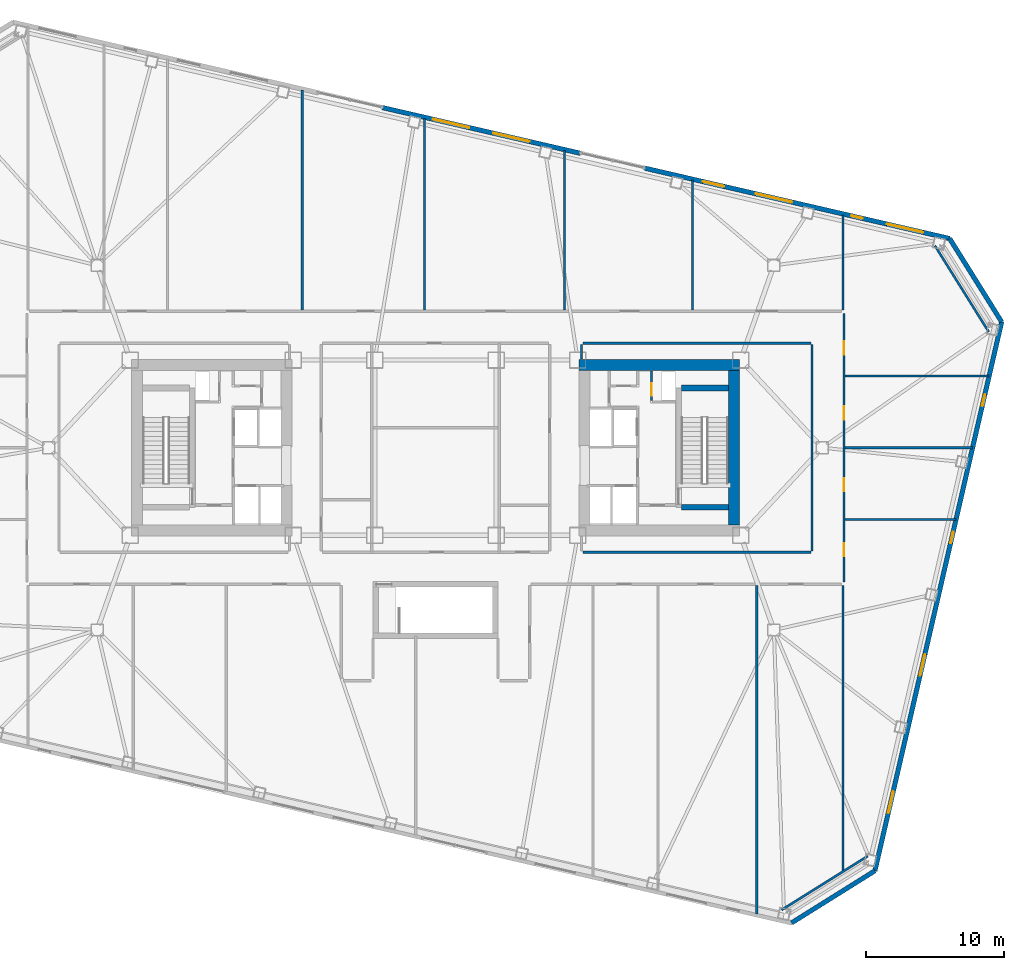
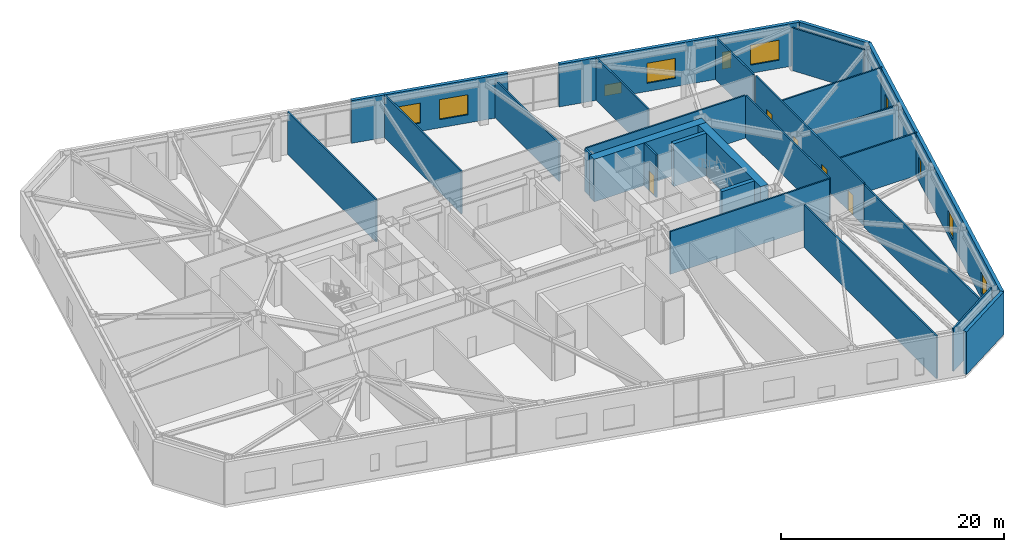
# One storey, part 13 of 19: 27 walls, 10 windows, 5 doors, 15 openings.
"""IFC4 building model written with IfcOpenShell, lengths in metres."""

from ifc_helpers import new_model, si_unit, direction, frame, frame_2d, origin, place, context, subcontext, project, spatial, rectangle, extrude, material, layer, layer_set, type_object, element, fill, save


model = new_model("IFC4")

# Units and contexts
model_context = context("Model", 3, precision=1e-05, world=origin(), true_north=direction((0.0, 1.0)))
body_context = subcontext(model_context, "Body", "Model", "MODEL_VIEW")
ifc_project = project(units=[si_unit("LENGTHUNIT", "METRE"), si_unit("AREAUNIT", "SQUARE_METRE"), si_unit("VOLUMEUNIT", "CUBIC_METRE"), si_unit("PLANEANGLEUNIT", "RADIAN"), si_unit("MASSUNIT", "GRAM", prefix="KILO")], contexts=[model_context])

# Site, building, storey
site_placement = place(None, origin())
site = spatial("IfcSite", under=ifc_project, at=site_placement, CompositionType="ELEMENT")
building_placement = place(site_placement, origin())
building = spatial("IfcBuilding", under=site, at=building_placement, Name="Tavrogorsk Clinical Tower", CompositionType="ELEMENT")
storey_placement = place(building_placement, frame((0.0, 0.0, 28.39990234375)))
storey = spatial("IfcBuildingStorey", under=building, at=storey_placement, Name="L05", CompositionType="ELEMENT", Elevation=28.39990234375)

# Walls
ifc_material_1 = material(Name="Lightweight concrete blockwork B15", Category="masonry")
ifc_layer_1 = layer(ifc_material_1, 0.159912109375)
ifc_layer_set_1 = layer_set([ifc_layer_1], Name="Lightweight concrete blockwork B15")
wall_type_1 = type_object("IfcWallType", Name="PartitionWall_160", PredefinedType="PARTITIONING", material=ifc_layer_set_1)
for number, where, z_axis, x_axis, name in (
    (1, (25.0595703125, -33.46826171875, 0.0), (0.0, 0.0, 1.0), (0.848043064089, 0.529927317139, 0.0), "L05 Corner Exoskeleton Brace Furring Wall 1"),
    (2, (40.059814453125, 8.389404296875, 0.0), (0.0, 0.0, 1.0), (-0.529927317139, 0.848043064089, 0.0), "L05 Corner Exoskeleton Brace Furring Wall 2"),
):
    element("IfcWall", number, at=place(storey_placement, frame(where, z_axis=z_axis, x_axis=x_axis)), inside=storey, type_object=wall_type_1, Name=name, PredefinedType="PARTITIONING", context=body_context, shape_type="SweptSolid", body=[
        extrude(rectangle(XDim=7.353759765625, YDim=0.159912109375, at=frame_2d((3.6767578125, 0.0))), origin(), (0.0, 0.0, 1.0), 4.68017578125),
    ])

# Wall, openings, doors
wall_1_placement = place(storey_placement, frame((29.580078125, 9.715087890625, 0.0), z_axis=(0.0, 0.0, 1.0), x_axis=(0.0, -1.0, 0.0)))
wall_1 = element("IfcWall", 3, at=wall_1_placement, inside=storey, type_object=wall_type_1, Name="L05 Corridor Partition 03", PredefinedType="PARTITIONING", context=body_context, shape_type="SweptSolid", body=[
    extrude(rectangle(XDim=19.43017578125, YDim=0.159912109375, at=frame_2d((9.715087890625, 0.0))), origin(), (0.0, 0.0, 1.0), 4.68017578125),
])
opening_1_placement = place(wall_1_placement, frame((16.630859375, 0.0, 0.0)))
opening_1 = element("IfcOpeningElement", 4, at=opening_1_placement, cuts=wall_1, Name="Opening ID-02", PredefinedType="OPENING", context=body_context, shape_type="SweptSolid", body=[
    extrude(rectangle(XDim=0.949951171875, YDim=2.199951171875, at=frame_2d((0.47509765625, 1.10009765625))), frame((0.0, 0.08984375, 0.0), z_axis=(0.0, -1.0, 0.0), x_axis=(1.0, 0.0, 0.0)), (0.0, 0.0, 1.0), 0.179931640625),
])
opening_2_placement = place(wall_1_placement, frame((11.925048828125, 0.0, 0.0)))
opening_2 = element("IfcOpeningElement", 5, at=opening_2_placement, cuts=wall_1, Name="Opening ID-02", PredefinedType="OPENING", context=body_context, shape_type="SweptSolid", body=[
    extrude(rectangle(XDim=0.949951171875, YDim=2.199951171875, at=frame_2d((0.47509765625, 1.10009765625))), frame((0.0, 0.08984375, 0.0), z_axis=(0.0, -1.0, 0.0), x_axis=(1.0, 0.0, 0.0)), (0.0, 0.0, 1.0), 0.179931640625),
])
opening_3_placement = place(wall_1_placement, frame((6.72509765625, 0.0, 0.0)))
opening_3 = element("IfcOpeningElement", 6, at=opening_3_placement, cuts=wall_1, Name="Opening ID-02", PredefinedType="OPENING", context=body_context, shape_type="SweptSolid", body=[
    extrude(rectangle(XDim=0.949951171875, YDim=2.199951171875, at=frame_2d((0.47509765625, 1.10009765625))), frame((0.0, 0.08984375, 0.0), z_axis=(0.0, -1.0, 0.0), x_axis=(1.0, 0.0, 0.0)), (0.0, 0.0, 1.0), 0.179931640625),
])
opening_4_placement = place(wall_1_placement, frame((2.01904296875, 0.0, 0.0)))
opening_4 = element("IfcOpeningElement", 7, at=opening_4_placement, cuts=wall_1, Name="Opening ID-02", PredefinedType="OPENING", context=body_context, shape_type="SweptSolid", body=[
    extrude(rectangle(XDim=0.949951171875, YDim=2.199951171875, at=frame_2d((0.47509765625, 1.10009765625))), frame((0.0, 0.08984375, 0.0), z_axis=(0.0, -1.0, 0.0), x_axis=(1.0, 0.0, 0.0)), (0.0, 0.0, 1.0), 0.179931640625),
])
ifc_material_2 = material(Name="Laminated timber leaf on aluminium frame", Category="wood")
door_type_1 = type_object("IfcDoorType", Name="InteriorDoor_ID02_950", OperationType="NOTDEFINED", PredefinedType="DOOR", material=ifc_material_2)
door_1_placement = place(opening_1_placement, origin())
door_1 = element("IfcDoor", 8, at=door_1_placement, inside=storey, type_object=door_type_1, Name="L05 E Senior Clinician Suite 1 Door", OperationType="SINGLE_SWING_LEFT", OverallHeight=2.199951171875, OverallWidth=0.949951171875, PredefinedType="DOOR", context=body_context, shape_type="SweptSolid", body=[
    extrude(rectangle(XDim=0.949951171875, YDim=2.199951171875, at=frame_2d((0.47509765625, 1.10009765625))), frame((0.0, 0.02490234375, 0.0), z_axis=(0.0, -1.0, 0.0), x_axis=(1.0, 0.0, 0.0)), (0.0, 0.0, 1.0), 0.050048828125),
])
fill(opening_1, door_1)
door_2_placement = place(opening_2_placement, origin())
door_2 = element("IfcDoor", 9, at=door_2_placement, inside=storey, type_object=door_type_1, Name="L05 E Multidisciplinary Seminar Suite 2 Door", OperationType="SINGLE_SWING_RIGHT", OverallHeight=2.199951171875, OverallWidth=0.949951171875, PredefinedType="DOOR", context=body_context, shape_type="SweptSolid", body=[
    extrude(rectangle(XDim=0.949951171875, YDim=2.199951171875, at=frame_2d((0.47509765625, 1.10009765625))), frame((0.0, 0.02490234375, 0.0), z_axis=(0.0, -1.0, 0.0), x_axis=(1.0, 0.0, 0.0)), (0.0, 0.0, 1.0), 0.050048828125),
])
fill(opening_2, door_2)
door_3_placement = place(opening_3_placement, origin())
door_3 = element("IfcDoor", 10, at=door_3_placement, inside=storey, type_object=door_type_1, Name="L05 E Specialist Consultation Room 3 Door", OperationType="SINGLE_SWING_LEFT", OverallHeight=2.199951171875, OverallWidth=0.949951171875, PredefinedType="DOOR", context=body_context, shape_type="SweptSolid", body=[
    extrude(rectangle(XDim=0.949951171875, YDim=2.199951171875, at=frame_2d((0.47509765625, 1.10009765625))), frame((0.0, 0.02490234375, 0.0), z_axis=(0.0, -1.0, 0.0), x_axis=(1.0, 0.0, 0.0)), (0.0, 0.0, 1.0), 0.050048828125),
])
fill(opening_3, door_3)
door_4_placement = place(opening_4_placement, origin())
door_4 = element("IfcDoor", 11, at=door_4_placement, inside=storey, type_object=door_type_1, Name="L05 E Clinical Fellows' Study 4 Door", OperationType="SINGLE_SWING_RIGHT", OverallHeight=2.199951171875, OverallWidth=0.949951171875, PredefinedType="DOOR", context=body_context, shape_type="SweptSolid", body=[
    extrude(rectangle(XDim=0.949951171875, YDim=2.199951171875, at=frame_2d((0.47509765625, 1.10009765625))), frame((0.0, 0.02490234375, 0.0), z_axis=(0.0, -1.0, 0.0), x_axis=(1.0, 0.0, 0.0)), (0.0, 0.0, 1.0), 0.050048828125),
])
fill(opening_4, door_4)

# Walls
wall_2_placement = place(storey_placement, frame((27.18505859375, 7.570068359375, 0.0), z_axis=(0.0, 0.0, 1.0), x_axis=(-1.0, 0.0, 0.0)))
element("IfcWall", 12, at=wall_2_placement, inside=storey, type_object=wall_type_1, Name="L05 Corridor Partition 12", PredefinedType="PARTITIONING", context=body_context, shape_type="SweptSolid", body=[
    extrude(rectangle(XDim=16.52001953125, YDim=0.159912109375, at=frame_2d((8.260009765625, 0.0))), origin(), (0.0, 0.0, 1.0), 4.68017578125),
])
wall_3_placement = place(storey_placement, frame((10.580078125, 7.485107421875, 0.0), z_axis=(0.0, 0.0, 1.0), x_axis=(0.0, -1.0, 0.0)))
element("IfcWall", 13, at=wall_3_placement, inside=storey, type_object=wall_type_1, Name="L05 Corridor Partition 13", PredefinedType="PARTITIONING", context=body_context, shape_type="SweptSolid", body=[
    extrude(rectangle(XDim=1.065185546875, YDim=0.159912109375, at=frame_2d((0.53271484375, 0.0))), origin(), (0.0, 0.0, 1.0), 4.68017578125),
])
wall_4_placement = place(storey_placement, frame((10.6650390625, -7.570068359375, 0.0), z_axis=(0.0, 0.0, 1.0), x_axis=(1.0, 0.0, 0.0)))
element("IfcWall", 14, at=wall_4_placement, inside=storey, type_object=wall_type_1, Name="L05 Corridor Partition 15", PredefinedType="PARTITIONING", context=body_context, shape_type="SweptSolid", body=[
    extrude(rectangle(XDim=16.52001953125, YDim=0.159912109375, at=frame_2d((8.260009765625, 0.0))), origin(), (0.0, 0.0, 1.0), 4.68017578125),
])
wall_5_placement = place(storey_placement, frame((27.27001953125, -7.485107421875, 0.0), z_axis=(0.0, 0.0, 1.0), x_axis=(0.0, 1.0, 0.0)))
element("IfcWall", 15, at=wall_5_placement, inside=storey, type_object=wall_type_1, Name="L05 Corridor Partition 16", PredefinedType="PARTITIONING", context=body_context, shape_type="SweptSolid", body=[
    extrude(rectangle(XDim=14.97021484375, YDim=0.159912109375, at=frame_2d((7.485107421875, 0.0))), origin(), (0.0, 0.0, 1.0), 4.68017578125),
])
wall_6_placement = place(storey_placement, frame((29.5, 9.965087890625, 0.0), z_axis=(0.0, 0.0, 1.0), x_axis=(0.0, 1.0, 0.0)))
element("IfcWall", 16, at=wall_6_placement, inside=storey, type_object=wall_type_1, Name="L05 NE Wing Closure Partition", PredefinedType="PARTITIONING", context=body_context, shape_type="SweptSolid", body=[
    extrude(rectangle(XDim=6.897216796875, YDim=0.159912109375, at=frame_2d((3.44873046875, 0.0))), origin(), (0.0, 0.0, 1.0), 4.68017578125),
])
wall_7_placement = place(storey_placement, frame((29.5, -30.702880859375, 0.0), z_axis=(0.0, 0.0, 1.0), x_axis=(0.0, 1.0, 0.0)))
element("IfcWall", 17, at=wall_7_placement, inside=storey, type_object=wall_type_1, Name="L05 SE Wing Closure Partition", PredefinedType="PARTITIONING", context=body_context, shape_type="SweptSolid", body=[
    extrude(rectangle(XDim=20.73779296875, YDim=0.159912109375, at=frame_2d((10.368896484375, 0.0))), origin(), (0.0, 0.0, 1.0), 4.68017578125),
])
wall_8_placement = place(storey_placement, frame((-0.800048828125, 9.965087890625, 0.0), z_axis=(0.0, 0.0, 1.0), x_axis=(0.0, 1.0, 0.0)))
element("IfcWall", 18, at=wall_8_placement, inside=storey, type_object=wall_type_1, Name="L05 North Room Partition 2", PredefinedType="PARTITIONING", context=body_context, shape_type="SweptSolid", body=[
    extrude(rectangle(XDim=13.892578125, YDim=0.159912109375, at=frame_2d((6.9462890625, 0.0))), origin(), (0.0, 0.0, 1.0), 4.68017578125),
])
wall_9_placement = place(storey_placement, frame((18.60009765625, 9.965087890625, 0.0), z_axis=(0.0, 0.0, 1.0), x_axis=(0.0, 1.0, 0.0)))
element("IfcWall", 19, at=wall_9_placement, inside=storey, type_object=wall_type_1, Name="L05 North Room Partition 3", PredefinedType="PARTITIONING", context=body_context, shape_type="SweptSolid", body=[
    extrude(rectangle(XDim=9.413818359375, YDim=0.159912109375, at=frame_2d((4.70703125, 0.0))), origin(), (0.0, 0.0, 1.0), 4.68017578125),
])
wall_10_placement = place(storey_placement, frame((-9.64990234375, 9.965087890625, 0.0), z_axis=(0.0, 0.0, 1.0), x_axis=(0.0, 1.0, 0.0)))
element("IfcWall", 20, at=wall_10_placement, inside=storey, type_object=wall_type_1, Name="L05 North Sub-Partition 2", PredefinedType="PARTITIONING", context=body_context, shape_type="SweptSolid", body=[
    extrude(rectangle(XDim=15.935791015625, YDim=0.159912109375, at=frame_2d((7.9677734375, 0.0))), origin(), (0.0, 0.0, 1.0), 4.68017578125),
])
wall_11_placement = place(storey_placement, frame((9.35009765625, 9.965087890625, 0.0), z_axis=(0.0, 0.0, 1.0), x_axis=(0.0, 1.0, 0.0)))
element("IfcWall", 21, at=wall_11_placement, inside=storey, type_object=wall_type_1, Name="L05 North Sub-Partition 3", PredefinedType="PARTITIONING", context=body_context, shape_type="SweptSolid", body=[
    extrude(rectangle(XDim=11.54931640625, YDim=0.159912109375, at=frame_2d((5.774658203125, 0.0))), origin(), (0.0, 0.0, 1.0), 4.175048828125),
])
wall_12_placement = place(storey_placement, frame((23.260009765625, -33.751220703125, 0.0), z_axis=(0.0, 0.0, 1.0), x_axis=(0.0, 1.0, 0.0)))
element("IfcWall", 22, at=wall_12_placement, inside=storey, type_object=wall_type_1, Name="L05 South Sub-Partition 4", PredefinedType="PARTITIONING", context=body_context, shape_type="SweptSolid", body=[
    extrude(rectangle(XDim=23.7861328125, YDim=0.159912109375, at=frame_2d((11.89306640625, 0.0))), origin(), (0.0, 0.0, 1.0), 4.68017578125),
])
wall_13_placement = place(storey_placement, frame((29.6650390625, -5.199951171875, 0.0), z_axis=(0.0, 0.0, 1.0), x_axis=(1.0, 0.0, 0.0)))
element("IfcWall", 23, at=wall_13_placement, inside=storey, type_object=wall_type_1, Name="L05 E Wing Divider 1", PredefinedType="PARTITIONING", context=body_context, shape_type="SweptSolid", body=[
    extrude(rectangle(XDim=8.007080078125, YDim=0.159912109375, at=frame_2d((4.00341796875, 0.0))), origin(), (0.0, 0.0, 1.0), 4.68017578125),
])
wall_14_placement = place(storey_placement, frame((29.6650390625, 0.0, 0.0), z_axis=(0.0, 0.0, 1.0), x_axis=(1.0, 0.0, 0.0)))
element("IfcWall", 24, at=wall_14_placement, inside=storey, type_object=wall_type_1, Name="L05 E Wing Divider 2", PredefinedType="PARTITIONING", context=body_context, shape_type="SweptSolid", body=[
    extrude(rectangle(XDim=9.207763671875, YDim=0.159912109375, at=frame_2d((4.60400390625, 0.0))), origin(), (0.0, 0.0, 1.0), 4.175048828125),
])
wall_15_placement = place(storey_placement, frame((29.6650390625, 5.199951171875, 0.0), z_axis=(0.0, 0.0, 1.0), x_axis=(1.0, 0.0, 0.0)))
element("IfcWall", 25, at=wall_15_placement, inside=storey, type_object=wall_type_1, Name="L05 E Wing Divider 3", PredefinedType="PARTITIONING", context=body_context, shape_type="SweptSolid", body=[
    extrude(rectangle(XDim=10.408203125, YDim=0.159912109375, at=frame_2d((5.2041015625, 0.0))), origin(), (0.0, 0.0, 1.0), 4.68017578125),
])

# Wall, openings, windows
ifc_material_3 = material(Name="Precast concrete B45 with limestone cladding", Category="masonry")
ifc_layer_2 = layer(ifc_material_3, 0.340087890625)
ifc_layer_set_2 = layer_set([ifc_layer_2], Name="Precast concrete B45 with limestone cladding")
wall_type_2 = type_object("IfcWallType", Name="PrecastLimestoneWall_340", PredefinedType="STANDARD", material=ifc_layer_set_2)
wall_16_placement = place(storey_placement, frame((37.228515625, 15.14990234375, 0.0), z_axis=(0.0, 0.0, 1.0), x_axis=(-0.97436993772, 0.224951604723, 0.0)))
wall_16 = element("IfcWall", 26, at=wall_16_placement, inside=storey, type_object=wall_type_2, Name="L05 N Limestone Facade Wall 1", PredefinedType="STANDARD", context=body_context, shape_type="SweptSolid", body=[
    extrude(rectangle(XDim=22.6513671875, YDim=0.340087890625, at=frame_2d((11.32568359375, 0.0))), origin(), (0.0, 0.0, 1.0), 4.68017578125),
])
opening_5_placement = place(wall_16_placement, frame((16.7451171875, 0.0, 0.219970703125)))
opening_5 = element("IfcOpeningElement", 27, at=opening_5_placement, cuts=wall_16, Name="Opening WN-09", PredefinedType="OPENING", context=body_context, shape_type="SweptSolid", body=[
    extrude(rectangle(XDim=1.60009765625, YDim=1.199951171875, at=frame_2d((0.800048828125, 0.60009765625))), frame((0.0, 0.179931640625, 0.0), z_axis=(0.0, -1.0, 0.0), x_axis=(1.0, 0.0, 0.0)), (0.0, 0.0, 1.0), 0.360107421875),
])
opening_6_placement = place(wall_16_placement, frame((11.710693359375, 0.0, 0.89990234375)))
opening_6 = element("IfcOpeningElement", 28, at=opening_6_placement, cuts=wall_16, Name="Opening WN-02", PredefinedType="OPENING", context=body_context, shape_type="SweptSolid", body=[
    extrude(rectangle(XDim=2.699951171875, YDim=2.199951171875, at=frame_2d((1.35009765625, 1.10009765625))), frame((0.0, 0.179931640625, 0.0), z_axis=(0.0, -1.0, 0.0), x_axis=(1.0, 0.0, 0.0)), (0.0, 0.0, 1.0), 0.360107421875),
])
opening_7_placement = place(wall_16_placement, frame((6.446533203125, 0.0, 0.89990234375)))
opening_7 = element("IfcOpeningElement", 29, at=opening_7_placement, cuts=wall_16, Name="Opening WN-06", PredefinedType="OPENING", context=body_context, shape_type="SweptSolid", body=[
    extrude(rectangle(XDim=0.85009765625, YDim=1.85009765625, at=frame_2d((0.425048828125, 0.925048828125))), frame((0.0, 0.179931640625, 0.0), z_axis=(0.0, -1.0, 0.0), x_axis=(1.0, 0.0, 0.0)), (0.0, 0.0, 1.0), 0.360107421875),
])
opening_8_placement = place(wall_16_placement, frame((1.962158203125, 0.0, 0.89990234375)))
opening_8 = element("IfcOpeningElement", 30, at=opening_8_placement, cuts=wall_16, Name="Opening WN-02", PredefinedType="OPENING", context=body_context, shape_type="SweptSolid", body=[
    extrude(rectangle(XDim=2.699951171875, YDim=2.199951171875, at=frame_2d((1.35009765625, 1.10009765625))), frame((0.0, 0.179931640625, 0.0), z_axis=(0.0, -1.0, 0.0), x_axis=(1.0, 0.0, 0.0)), (0.0, 0.0, 1.0), 0.360107421875),
])
ifc_material_4 = material(Name="Thermally broken aluminium frame and triple IGU", Category="aluminium")
window_type_1 = type_object("IfcWindowType", Name="LowHeadTransWin_1600x1200", PartitioningType="DOUBLE_PANEL_VERTICAL", PredefinedType="WINDOW", material=ifc_material_4)
window_1_placement = place(opening_5_placement, origin())
window_1 = element("IfcWindow", 31, at=window_1_placement, inside=storey, type_object=window_type_1, Name="L05 N Chicago Window 07", OverallHeight=1.199951171875, OverallWidth=1.60009765625, PartitioningType="SINGLE_PANEL", PredefinedType="WINDOW", context=body_context, shape_type="SweptSolid", body=[
    extrude(rectangle(XDim=1.60009765625, YDim=1.199951171875, at=frame_2d((0.800048828125, 0.60009765625))), frame((0.0, 0.030029296875, 0.0), z_axis=(0.0, -1.0, 0.0), x_axis=(1.0, 0.0, 0.0)), (0.0, 0.0, 1.0), 0.06005859375),
])
fill(opening_5, window_1)
ifc_material_5 = material(Name="Thermally broken aluminium frame and triple IGU", Category="aluminium")
window_type_2 = type_object("IfcWindowType", Name="MullionSubWin_850x1850", PartitioningType="SINGLE_PANEL", PredefinedType="WINDOW", material=ifc_material_5)
window_2_placement = place(opening_7_placement, origin())
window_2 = element("IfcWindow", 32, at=window_2_placement, inside=storey, type_object=window_type_2, Name="L05 N Mullion Split Window 09A", OverallHeight=1.85009765625, OverallWidth=0.85009765625, PartitioningType="SINGLE_PANEL", PredefinedType="WINDOW", context=body_context, shape_type="SweptSolid", body=[
    extrude(rectangle(XDim=0.85009765625, YDim=1.85009765625, at=frame_2d((0.425048828125, 0.925048828125))), frame((0.0, 0.030029296875, 0.0), z_axis=(0.0, -1.0, 0.0), x_axis=(1.0, 0.0, 0.0)), (0.0, 0.0, 1.0), 0.06005859375),
])
fill(opening_7, window_2)
ifc_material_6 = material(Name="Thermally broken aluminium frame and triple IGU", Category="aluminium")
window_type_3 = type_object("IfcWindowType", Name="WardChicagoWin_2700x2200", PartitioningType="TRIPLE_PANEL_HORIZONTAL", PredefinedType="WINDOW", material=ifc_material_6)
window_3_placement = place(opening_6_placement, origin())
window_3 = element("IfcWindow", 33, at=window_3_placement, inside=storey, type_object=window_type_3, Name="L05 N Chicago Window 08", OverallHeight=2.199951171875, OverallWidth=2.699951171875, PartitioningType="SINGLE_PANEL", PredefinedType="WINDOW", context=body_context, shape_type="SweptSolid", body=[
    extrude(rectangle(XDim=2.699951171875, YDim=2.199951171875, at=frame_2d((1.35009765625, 1.10009765625))), frame((0.0, 0.030029296875, 0.0), z_axis=(0.0, -1.0, 0.0), x_axis=(1.0, 0.0, 0.0)), (0.0, 0.0, 1.0), 0.06005859375),
])
fill(opening_6, window_3)
window_4_placement = place(opening_8_placement, origin())
window_4 = element("IfcWindow", 34, at=window_4_placement, inside=storey, type_object=window_type_3, Name="L05 N Chicago Window 10", OverallHeight=2.199951171875, OverallWidth=2.699951171875, PartitioningType="SINGLE_PANEL", PredefinedType="WINDOW", context=body_context, shape_type="SweptSolid", body=[
    extrude(rectangle(XDim=2.699951171875, YDim=2.199951171875, at=frame_2d((1.35009765625, 1.10009765625))), frame((0.0, 0.030029296875, 0.0), z_axis=(0.0, -1.0, 0.0), x_axis=(1.0, 0.0, 0.0)), (0.0, 0.0, 1.0), 0.06005859375),
])
fill(opening_8, window_4)

wall_17_placement = place(storey_placement, frame((10.480712890625, 21.3251953125, 0.0), z_axis=(0.0, 0.0, 1.0), x_axis=(-0.974369353393, 0.2249541357, 0.0)))
wall_17 = element("IfcWall", 35, at=wall_17_placement, inside=storey, type_object=wall_type_2, Name="L05 N Limestone Facade Wall 2", PredefinedType="STANDARD", context=body_context, shape_type="SweptSolid", body=[
    extrude(rectangle(XDim=14.697021484375, YDim=0.340087890625, at=frame_2d((7.3486328125, 0.0))), origin(), (0.0, 0.0, 1.0), 4.68017578125),
])
opening_9_placement = place(wall_17_placement, frame((8.24072265625, 0.0, 0.89990234375)))
opening_9 = element("IfcOpeningElement", 36, at=opening_9_placement, cuts=wall_17, Name="Opening WN-02", PredefinedType="OPENING", context=body_context, shape_type="SweptSolid", body=[
    extrude(rectangle(XDim=2.699951171875, YDim=2.199951171875, at=frame_2d((1.35009765625, 1.10009765625))), frame((0.0, 0.179931640625, 0.0), z_axis=(0.0, -1.0, 0.0), x_axis=(1.0, 0.0, 0.0)), (0.0, 0.0, 1.0), 0.360107421875),
])
opening_10_placement = place(wall_17_placement, frame((3.75634765625, 0.0, 0.89990234375)))
opening_10 = element("IfcOpeningElement", 37, at=opening_10_placement, cuts=wall_17, Name="Opening WN-02", PredefinedType="OPENING", context=body_context, shape_type="SweptSolid", body=[
    extrude(rectangle(XDim=2.699951171875, YDim=2.199951171875, at=frame_2d((1.35009765625, 1.10009765625))), frame((0.0, 0.179931640625, 0.0), z_axis=(0.0, -1.0, 0.0), x_axis=(1.0, 0.0, 0.0)), (0.0, 0.0, 1.0), 0.360107421875),
])
window_5_placement = place(opening_9_placement, origin())
window_5 = element("IfcWindow", 38, at=window_5_placement, inside=storey, type_object=window_type_3, Name="L05 N Chicago Window 05", OverallHeight=2.199951171875, OverallWidth=2.699951171875, PartitioningType="SINGLE_PANEL", PredefinedType="WINDOW", context=body_context, shape_type="SweptSolid", body=[
    extrude(rectangle(XDim=2.699951171875, YDim=2.199951171875, at=frame_2d((1.35009765625, 1.10009765625))), frame((0.0, 0.030029296875, 0.0), z_axis=(0.0, -1.0, 0.0), x_axis=(1.0, 0.0, 0.0)), (0.0, 0.0, 1.0), 0.06005859375),
])
fill(opening_9, window_5)
window_6_placement = place(opening_10_placement, origin())
window_6 = element("IfcWindow", 39, at=window_6_placement, inside=storey, type_object=window_type_3, Name="L05 N Chicago Window 06", OverallHeight=2.199951171875, OverallWidth=2.699951171875, PartitioningType="SINGLE_PANEL", PredefinedType="WINDOW", context=body_context, shape_type="SweptSolid", body=[
    extrude(rectangle(XDim=2.699951171875, YDim=2.199951171875, at=frame_2d((1.35009765625, 1.10009765625))), frame((0.0, 0.030029296875, 0.0), z_axis=(0.0, -1.0, 0.0), x_axis=(1.0, 0.0, 0.0)), (0.0, 0.0, 1.0), 0.06005859375),
])
fill(opening_10, window_6)

wall_18_placement = place(storey_placement, frame((31.820068359375, -30.636962890625, 0.0), z_axis=(0.0, 0.0, 1.0), x_axis=(0.224949969076, 0.974370315338, 0.0)))
wall_18 = element("IfcWall", 40, at=wall_18_placement, inside=storey, type_object=wall_type_2, Name="L05 E Pleated Limestone Wing Wall", PredefinedType="STANDARD", context=body_context, shape_type="SweptSolid", body=[
    extrude(rectangle(XDim=40.800048828125, YDim=0.340087890625, at=frame_2d((20.39990234375, 0.0))), origin(), (0.0, 0.0, 1.0), 4.68017578125),
])
opening_11_placement = place(wall_18_placement, frame((4.300048828125, 0.0, 0.580078125)))
opening_11 = element("IfcOpeningElement", 41, at=opening_11_placement, cuts=wall_18, Name="Opening WN-07", PredefinedType="OPENING", context=body_context, shape_type="SweptSolid", body=[
    extrude(rectangle(XDim=1.60009765625, YDim=2.300048828125, at=frame_2d((0.800048828125, 1.14990234375))), frame((0.0, 0.179931640625, 0.0), z_axis=(0.0, -1.0, 0.0), x_axis=(1.0, 0.0, 0.0)), (0.0, 0.0, 1.0), 0.360107421875),
])
opening_12_placement = place(wall_18_placement, frame((14.5, 0.0, 0.580078125)))
opening_12 = element("IfcOpeningElement", 42, at=opening_12_placement, cuts=wall_18, Name="Opening WN-07", PredefinedType="OPENING", context=body_context, shape_type="SweptSolid", body=[
    extrude(rectangle(XDim=1.60009765625, YDim=2.300048828125, at=frame_2d((0.800048828125, 1.14990234375))), frame((0.0, 0.179931640625, 0.0), z_axis=(0.0, -1.0, 0.0), x_axis=(1.0, 0.0, 0.0)), (0.0, 0.0, 1.0), 0.360107421875),
])
opening_13_placement = place(wall_18_placement, frame((24.35009765625, 0.0, 0.75)))
opening_13 = element("IfcOpeningElement", 43, at=opening_13_placement, cuts=wall_18, Name="Opening WN-06", PredefinedType="OPENING", context=body_context, shape_type="SweptSolid", body=[
    extrude(rectangle(XDim=0.85009765625, YDim=1.85009765625, at=frame_2d((0.425048828125, 0.925048828125))), frame((0.0, 0.179931640625, 0.0), z_axis=(0.0, -1.0, 0.0), x_axis=(1.0, 0.0, 0.0)), (0.0, 0.0, 1.0), 0.360107421875),
])
opening_14_placement = place(wall_18_placement, frame((34.550048828125, 0.0, 0.75)))
opening_14 = element("IfcOpeningElement", 44, at=opening_14_placement, cuts=wall_18, Name="Opening WN-06", PredefinedType="OPENING", context=body_context, shape_type="SweptSolid", body=[
    extrude(rectangle(XDim=0.85009765625, YDim=1.85009765625, at=frame_2d((0.425048828125, 0.925048828125))), frame((0.0, 0.179931640625, 0.0), z_axis=(0.0, -1.0, 0.0), x_axis=(1.0, 0.0, 0.0)), (0.0, 0.0, 1.0), 0.360107421875),
])
window_7_placement = place(opening_13_placement, origin())
window_7 = element("IfcWindow", 45, at=window_7_placement, inside=storey, type_object=window_type_2, Name="L05 E Pleat Mullion Window 3A", OverallHeight=1.85009765625, OverallWidth=0.85009765625, PartitioningType="SINGLE_PANEL", PredefinedType="WINDOW", context=body_context, shape_type="SweptSolid", body=[
    extrude(rectangle(XDim=0.85009765625, YDim=1.85009765625, at=frame_2d((0.425048828125, 0.925048828125))), frame((0.0, 0.030029296875, 0.0), z_axis=(0.0, -1.0, 0.0), x_axis=(1.0, 0.0, 0.0)), (0.0, 0.0, 1.0), 0.06005859375),
])
fill(opening_13, window_7)
window_8_placement = place(opening_14_placement, origin())
window_8 = element("IfcWindow", 46, at=window_8_placement, inside=storey, type_object=window_type_2, Name="L05 E Pleat Mullion Window 4A", OverallHeight=1.85009765625, OverallWidth=0.85009765625, PartitioningType="SINGLE_PANEL", PredefinedType="WINDOW", context=body_context, shape_type="SweptSolid", body=[
    extrude(rectangle(XDim=0.85009765625, YDim=1.85009765625, at=frame_2d((0.425048828125, 0.925048828125))), frame((0.0, 0.030029296875, 0.0), z_axis=(0.0, -1.0, 0.0), x_axis=(1.0, 0.0, 0.0)), (0.0, 0.0, 1.0), 0.06005859375),
])
fill(opening_14, window_8)
ifc_material_7 = material(Name="Thermally broken aluminium frame and triple IGU", Category="aluminium")
window_type_4 = type_object("IfcWindowType", Name="PleatSlotWin_1600x2300", PartitioningType="SINGLE_PANEL", PredefinedType="WINDOW", material=ifc_material_7)
window_9_placement = place(opening_11_placement, origin())
window_9 = element("IfcWindow", 47, at=window_9_placement, inside=storey, type_object=window_type_4, Name="L05 E Pleat Slot Window 1", OverallHeight=2.300048828125, OverallWidth=1.60009765625, PartitioningType="SINGLE_PANEL", PredefinedType="WINDOW", context=body_context, shape_type="SweptSolid", body=[
    extrude(rectangle(XDim=1.60009765625, YDim=2.300048828125, at=frame_2d((0.800048828125, 1.14990234375))), frame((0.0, 0.030029296875, 0.0), z_axis=(0.0, -1.0, 0.0), x_axis=(1.0, 0.0, 0.0)), (0.0, 0.0, 1.0), 0.06005859375),
])
fill(opening_11, window_9)
window_10_placement = place(opening_12_placement, origin())
window_10 = element("IfcWindow", 48, at=window_10_placement, inside=storey, type_object=window_type_4, Name="L05 E Pleat Slot Window 2", OverallHeight=2.300048828125, OverallWidth=1.60009765625, PartitioningType="SINGLE_PANEL", PredefinedType="WINDOW", context=body_context, shape_type="SweptSolid", body=[
    extrude(rectangle(XDim=1.60009765625, YDim=2.300048828125, at=frame_2d((0.800048828125, 1.14990234375))), frame((0.0, 0.030029296875, 0.0), z_axis=(0.0, -1.0, 0.0), x_axis=(1.0, 0.0, 0.0)), (0.0, 0.0, 1.0), 0.06005859375),
])
fill(opening_12, window_10)

# Walls
for number, where, z_axis, x_axis, name in (
    (49, (25.78759765625, -34.406494140625, 0.0), (0.0, 0.0, 1.0), (0.848046504656, 0.529921811158, 0.0), "L05 Chamfered Corner Wall 1"),
    (50, (40.998046875, 9.117431640625, 0.0), (0.0, 0.0, 1.0), (-0.529921811158, 0.848046504656, 0.0), "L05 Chamfered Corner Wall 2"),
):
    element("IfcWall", number, at=place(storey_placement, frame(where, z_axis=z_axis, x_axis=x_axis)), inside=storey, type_object=wall_type_2, Name=name, PredefinedType="STANDARD", context=body_context, shape_type="SweptSolid", body=[
        extrude(rectangle(XDim=7.11328125, YDim=0.340087890625, at=frame_2d((3.556640625, 0.0))), origin(), (0.0, 0.0, 1.0), 4.68017578125),
    ])

# Wall, opening, door
ifc_material_8 = material(Name="Lightweight concrete blockwork B25", Category="masonry")
ifc_layer_3 = layer(ifc_material_8, 0.159912109375)
ifc_layer_set_3 = layer_set([ifc_layer_3], Name="Lightweight concrete blockwork B25")
wall_type_3 = type_object("IfcWallType", Name="ShaftWall_160", PredefinedType="PARTITIONING", material=ifc_layer_set_3)
wall_19_placement = place(storey_placement, frame((15.639892578125, 3.405029296875, 0.0), z_axis=(0.0, 0.0, 1.0), x_axis=(0.0, 1.0, 0.0)))
wall_19 = element("IfcWall", 51, at=wall_19_placement, inside=storey, type_object=wall_type_3, Name="L05 Core East Riser West Wall", PredefinedType="PARTITIONING", context=body_context, shape_type="SweptSolid", body=[
    extrude(rectangle(XDim=2.155029296875, YDim=0.159912109375, at=frame_2d((1.07763671875, 0.0))), origin(), (0.0, 0.0, 1.0), 4.68017578125),
])
opening_15_placement = place(wall_19_placement, frame((0.35009765625, 0.0, 0.0)))
opening_15 = element("IfcOpeningElement", 52, at=opening_15_placement, cuts=wall_19, Name="Opening FD-02", PredefinedType="OPENING", context=body_context, shape_type="SweptSolid", body=[
    extrude(rectangle(XDim=0.89990234375, YDim=2.199951171875, at=frame_2d((0.449951171875, 1.10009765625))), frame((0.0, 0.08984375, 0.0), z_axis=(0.0, -1.0, 0.0), x_axis=(1.0, 0.0, 0.0)), (0.0, 0.0, 1.0), 0.179931640625),
])
ifc_material_9 = material(Name="Galvanised steel fire-rated door assembly", Category="steel")
door_type_2 = type_object("IfcDoorType", Name="FireDoor_FD02_900", OperationType="NOTDEFINED", PredefinedType="DOOR", material=ifc_material_9)
door_5_placement = place(opening_15_placement, origin())
door_5 = element("IfcDoor", 53, at=door_5_placement, inside=storey, type_object=door_type_2, Name="L05 Core East Electrical Riser Access Door", OperationType="SINGLE_SWING_RIGHT", OverallHeight=2.199951171875, OverallWidth=0.89990234375, PredefinedType="DOOR", context=body_context, shape_type="SweptSolid", body=[
    extrude(rectangle(XDim=0.89990234375, YDim=2.199951171875, at=frame_2d((0.449951171875, 1.10009765625))), frame((0.0, 0.02490234375, 0.0), z_axis=(0.0, -1.0, 0.0), x_axis=(1.0, 0.0, 0.0)), (0.0, 0.0, 1.0), 0.050048828125),
])
fill(opening_15, door_5)

# Walls
ifc_material_10 = material(Name="Concrete B80", Category="concrete")
ifc_layer_4 = layer(ifc_material_10, 0.39990234375)
ifc_layer_set_4 = layer_set([ifc_layer_4], Name="Concrete B80")
wall_type_4 = type_object("IfcWallType", Name="ShearWall_400", PredefinedType="SHEAR", material=ifc_layer_set_4)
for number, where, z_axis, x_axis, name in (
    (54, (17.800048828125, -4.324951171875, 0.0), (0.0, 0.0, 1.0), (1.0, 0.0, 0.0), "L05 Core East Stair Shaft South Shear Wall"),
    (55, (17.800048828125, 4.324951171875, 0.0), (0.0, 0.0, 1.0), (1.0, 0.0, 0.0), "L05 Core East Stair Shaft North Shear Wall"),
):
    element("IfcWall", number, at=place(storey_placement, frame(where, z_axis=z_axis, x_axis=x_axis)), inside=storey, type_object=wall_type_4, Name=name, PredefinedType="SHEAR", context=body_context, shape_type="SweptSolid", body=[
        extrude(rectangle(XDim=3.39990234375, YDim=0.39990234375, at=frame_2d((1.699951171875, 0.0))), origin(), (0.0, 0.0, 1.0), 4.68017578125),
    ])
ifc_material_11 = material(Name="Concrete B80", Category="concrete")
ifc_layer_5 = layer(ifc_material_11, 0.800048828125)
ifc_layer_set_5 = layer_set([ifc_layer_5], Name="Concrete B80")
wall_type_5 = type_object("IfcWallType", Name="ShearWall_800", PredefinedType="SHEAR", material=ifc_layer_set_5)
wall_20_placement = place(storey_placement, frame((10.39990234375, 6.0, 0.0), z_axis=(0.0, 0.0, 1.0), x_axis=(1.0, 0.0, 0.0)))
element("IfcWall", 56, at=wall_20_placement, inside=storey, type_object=wall_type_5, Name="L05 Core East North Shear Wall", PredefinedType="SHEAR", context=body_context, shape_type="SweptSolid", body=[
    extrude(rectangle(XDim=11.60009765625, YDim=0.800048828125, at=frame_2d((5.800048828125, 0.0))), origin(), (0.0, 0.0, 1.0), 4.68017578125),
])
wall_21_placement = place(storey_placement, frame((21.60009765625, -5.60009765625, 0.0), z_axis=(0.0, 0.0, 1.0), x_axis=(0.0, 1.0, 0.0)))
element("IfcWall", 57, at=wall_21_placement, inside=storey, type_object=wall_type_5, Name="L05 Core East End Shear Wall", PredefinedType="SHEAR", context=body_context, shape_type="SweptSolid", body=[
    extrude(rectangle(XDim=11.2001953125, YDim=0.800048828125, at=frame_2d((5.60009765625, 0.0))), origin(), (0.0, 0.0, 1.0), 4.68017578125),
])

save(model, "model.ifc")
